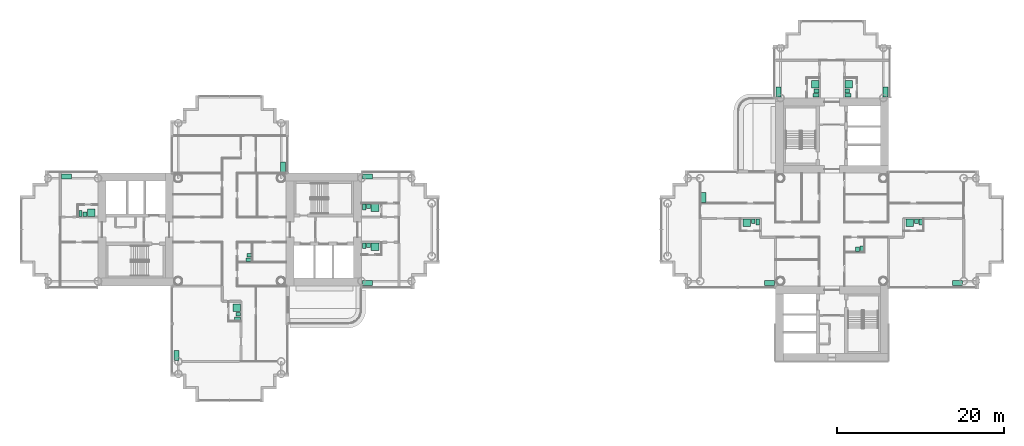
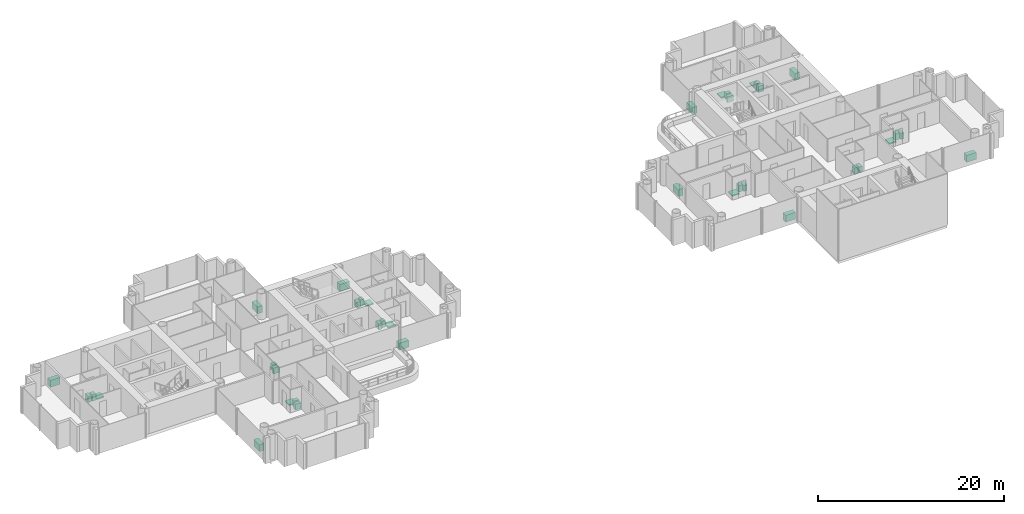
# One storey, part 21 of 21: 38 sanitary terminals.
"""IFC4 building model written with IfcOpenShell, lengths in metres."""

from ifc_helpers import new_model, si_unit, direction, frame, origin, origin_2d, place, context, subcontext, project, spatial, rectangle, extrude, material, type_object, element, save


model = new_model("IFC4")

# Units and contexts
model_context = context("Model", 3, precision=1e-05, world=origin(), true_north=direction((0.0, 1.0)))
body_context = subcontext(model_context, "Body", "Model", "MODEL_VIEW")
ifc_project = project(units=[si_unit("LENGTHUNIT", "METRE"), si_unit("AREAUNIT", "SQUARE_METRE"), si_unit("VOLUMEUNIT", "CUBIC_METRE"), si_unit("PLANEANGLEUNIT", "RADIAN"), si_unit("MASSUNIT", "GRAM", prefix="KILO")], contexts=[model_context])

# Site, building, storey
site_placement = place(None, origin())
site = spatial("IfcSite", under=ifc_project, at=site_placement, CompositionType="ELEMENT")
building_placement = place(site_placement, origin())
building = spatial("IfcBuilding", under=site, at=building_placement, Name="Ipe Terrace Towers", CompositionType="ELEMENT")
storey_placement = place(building_placement, frame((0.0, 0.0, 103.800048828125)))
storey = spatial("IfcBuildingStorey", under=building, at=storey_placement, Name="L28", CompositionType="ELEMENT", Elevation=103.800048828125)

# Sanitary terminals
ifc_material_1 = material(Name="Stainless sink unit", Category="metal")
sanitary_terminal_type_1 = type_object("IfcSanitaryTerminalType", Name="Kitchen sink unit", PredefinedType="SINK", material=ifc_material_1)
for number, where, z_axis, x_axis, name in (
    (1, (-29.6201171875, 7.469970703125, 0.0), (0.0, 0.0, 1.0), (0.0, -1.0, 0.0), "Kitchen sink unit"),
    (2, (-42.3798828125, -15.030029296875, 0.0), (0.0, 0.0, 1.0), (0.0, 1.0, 0.0), "Kitchen sink unit"),
    (3, (-19.530029296875, 6.3798828125, 0.0), (0.0, 0.0, 1.0), (1.0, 0.0, 0.0), "Kitchen sink unit"),
    (4, (-19.530029296875, -6.3798828125, 0.0), (0.0, 0.0, 1.0), (-1.0, 0.0, 0.0), "Kitchen sink unit"),
    (5, (-55.530029296875, 6.3798828125, 0.0), (0.0, 0.0, 1.0), (1.0, 0.0, 0.0), "Kitchen sink unit"),
    (6, (28.530029296875, -6.3798828125, 0.0), (0.0, 0.0, 1.0), (-1.0, 0.0, 0.0), "Kitchen sink unit"),
    (7, (20.6201171875, 3.8701171875, 0.0), (0.0, 0.0, 1.0), (0.0, 1.0, 0.0), "Kitchen sink unit"),
    (8, (51.030029296875, -6.3798828125, 0.0), (0.0, 0.0, 1.0), (-1.0, 0.0, 0.0), "Kitchen sink unit"),
    (9, (29.6201171875, 16.469970703125, 0.0), (0.0, 0.0, 1.0), (0.0, 1.0, 0.0), "Kitchen sink unit"),
    (10, (42.3798828125, 16.469970703125, 0.0), (0.0, 0.0, 1.0), (0.0, -1.0, 0.0), "Kitchen sink unit"),
):
    element("IfcSanitaryTerminal", number, at=place(storey_placement, frame(where, z_axis=z_axis, x_axis=x_axis)), inside=storey, type_object=sanitary_terminal_type_1, Name=name, PredefinedType="SINK", context=body_context, shape_type="SweptSolid", body=[
        extrude(rectangle(XDim=1.199951171875, YDim=0.60009765625, at=origin_2d()), origin(), (0.0, 0.0, 1.0), 0.89990234375),
    ])
ifc_material_2 = material(Name="Acrylic", Category="plastic")
sanitary_terminal_type_2 = type_object("IfcSanitaryTerminalType", Name="Shower tray", PredefinedType="SHOWER", material=ifc_material_2)
for number, where, z_axis, x_axis, name in (
    (11, (-35.169921875, -9.330078125, 0.0), (0.0, 0.0, 1.0), (-1.0, 0.0, 0.0), "Shower tray"),
    (12, (-18.6298828125, 2.6298828125, 0.0), (0.0, 0.0, 1.0), (0.0, -1.0, 0.0), "Shower tray"),
    (13, (-18.6298828125, -2.02001953125, 0.0), (0.0, 0.0, 1.0), (0.0, -1.0, 0.0), "Shower tray"),
    (14, (-52.530029296875, 2.02001953125, 0.0), (0.0, 0.0, 1.0), (0.0, 1.0, 0.0), "Shower tray"),
    (15, (25.830078125, 0.830078125, 0.0), (0.0, 0.0, 1.0), (0.0, -1.0, 0.0), "Shower tray"),
    (16, (45.330078125, 0.830078125, 0.0), (0.0, 0.0, 1.0), (0.0, -1.0, 0.0), "Shower tray"),
    (17, (33.97998046875, 17.3701171875, 0.0), (0.0, 0.0, 1.0), (-1.0, 0.0, 0.0), "Shower tray"),
    (18, (38.02001953125, 17.3701171875, 0.0), (0.0, 0.0, 1.0), (1.0, 0.0, 0.0), "Shower tray"),
):
    element("IfcSanitaryTerminal", number, at=place(storey_placement, frame(where, z_axis=z_axis, x_axis=x_axis)), inside=storey, type_object=sanitary_terminal_type_2, Name=name, PredefinedType="SHOWER", context=body_context, shape_type="SweptSolid", body=[
        extrude(rectangle(XDim=0.89990234375, YDim=0.89990234375, at=origin_2d()), origin(), (0.0, 0.0, 1.0), 0.14990234375),
    ])
ifc_material_3 = material(Name="Vitreous china", Category="ceramic")
sanitary_terminal_type_3 = type_object("IfcSanitaryTerminalType", Name="Wash basin", PredefinedType="WASHHANDBASIN", material=ifc_material_3)
for number, where, z_axis, x_axis, name in (
    (19, (-33.64501953125, -3.054931640625, 0.0), (0.0, 0.0, 1.0), (-1.0, 0.0, 0.0), "Wash basin"),
    (20, (-34.9951171875, -10.10498046875, 0.0), (0.0, 0.0, 1.0), (-1.0, 0.0, 0.0), "Wash basin"),
    (21, (-19.405029296875, 2.804931640625, 0.0), (0.0, 0.0, 1.0), (0.0, -1.0, 0.0), "Wash basin"),
    (22, (-19.405029296875, -1.844970703125, 0.0), (0.0, 0.0, 1.0), (0.0, -1.0, 0.0), "Wash basin"),
    (23, (-53.304931640625, 1.844970703125, 0.0), (0.0, 0.0, 1.0), (0.0, 1.0, 0.0), "Wash basin"),
    (24, (39.054931640625, -2.35498046875, 0.0), (0.0, 0.0, 1.0), (0.0, 1.0, 0.0), "Wash basin"),
    (25, (26.60498046875, 1.0048828125, 0.0), (0.0, 0.0, 1.0), (0.0, -1.0, 0.0), "Wash basin"),
    (26, (46.10498046875, 1.0048828125, 0.0), (0.0, 0.0, 1.0), (0.0, -1.0, 0.0), "Wash basin"),
    (27, (34.155029296875, 16.594970703125, 0.0), (0.0, 0.0, 1.0), (-1.0, 0.0, 0.0), "Wash basin"),
    (28, (37.844970703125, 16.594970703125, 0.0), (0.0, 0.0, 1.0), (1.0, 0.0, 0.0), "Wash basin"),
):
    element("IfcSanitaryTerminal", number, at=place(storey_placement, frame(where, z_axis=z_axis, x_axis=x_axis)), inside=storey, type_object=sanitary_terminal_type_3, Name=name, PredefinedType="WASHHANDBASIN", context=body_context, shape_type="SweptSolid", body=[
        extrude(rectangle(XDim=0.550048828125, YDim=0.449951171875, at=origin_2d()), origin(), (0.0, 0.0, 1.0), 0.85009765625),
    ])
ifc_material_4 = material(Name="Vitreous china", Category="ceramic")
sanitary_terminal_type_4 = type_object("IfcSanitaryTerminalType", Name="Water closet", PredefinedType="TOILETPAN", material=ifc_material_4)
for number, where, z_axis, x_axis, name in (
    (29, (-33.719970703125, -3.580078125, 0.0), (0.0, 0.0, 1.0), (-1.0, 0.0, 0.0), "Water closet"),
    (30, (-35.070068359375, -10.6298828125, 0.0), (0.0, 0.0, 1.0), (-1.0, 0.0, 0.0), "Water closet"),
    (31, (-19.929931640625, 2.72998046875, 0.0), (0.0, 0.0, 1.0), (0.0, -1.0, 0.0), "Water closet"),
    (32, (-19.929931640625, -1.919921875, 0.0), (0.0, 0.0, 1.0), (0.0, -1.0, 0.0), "Water closet"),
    (33, (-53.830078125, 1.919921875, 0.0), (0.0, 0.0, 1.0), (0.0, 1.0, 0.0), "Water closet"),
    (34, (39.580078125, -2.280029296875, 0.0), (0.0, 0.0, 1.0), (0.0, 1.0, 0.0), "Water closet"),
    (35, (27.1298828125, 0.929931640625, 0.0), (0.0, 0.0, 1.0), (0.0, -1.0, 0.0), "Water closet"),
    (36, (46.6298828125, 0.929931640625, 0.0), (0.0, 0.0, 1.0), (0.0, -1.0, 0.0), "Water closet"),
    (37, (34.080078125, 16.070068359375, 0.0), (0.0, 0.0, 1.0), (-1.0, 0.0, 0.0), "Water closet"),
    (38, (37.919921875, 16.070068359375, 0.0), (0.0, 0.0, 1.0), (1.0, 0.0, 0.0), "Water closet"),
):
    element("IfcSanitaryTerminal", number, at=place(storey_placement, frame(where, z_axis=z_axis, x_axis=x_axis)), inside=storey, type_object=sanitary_terminal_type_4, Name=name, PredefinedType="TOILETPAN", context=body_context, shape_type="SweptSolid", body=[
        extrude(rectangle(XDim=0.699951171875, YDim=0.39990234375, at=origin_2d()), origin(), (0.0, 0.0, 1.0), 0.780029296875),
    ])

save(model, "model.ifc")
